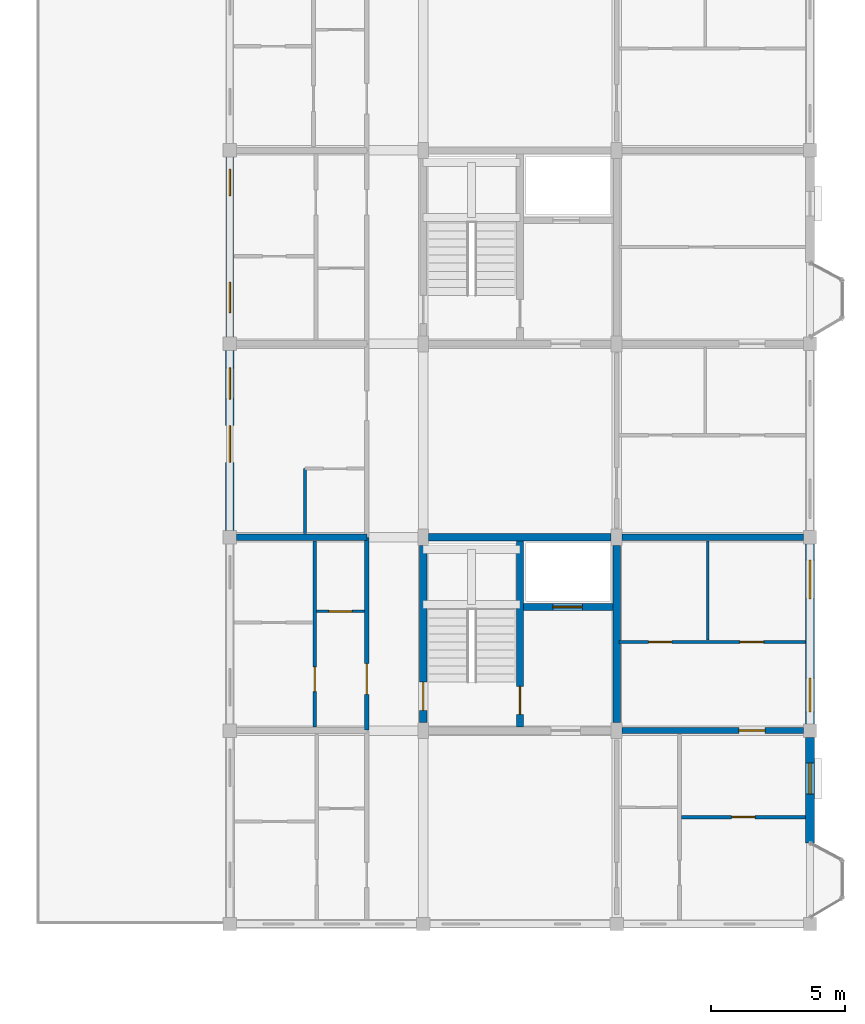
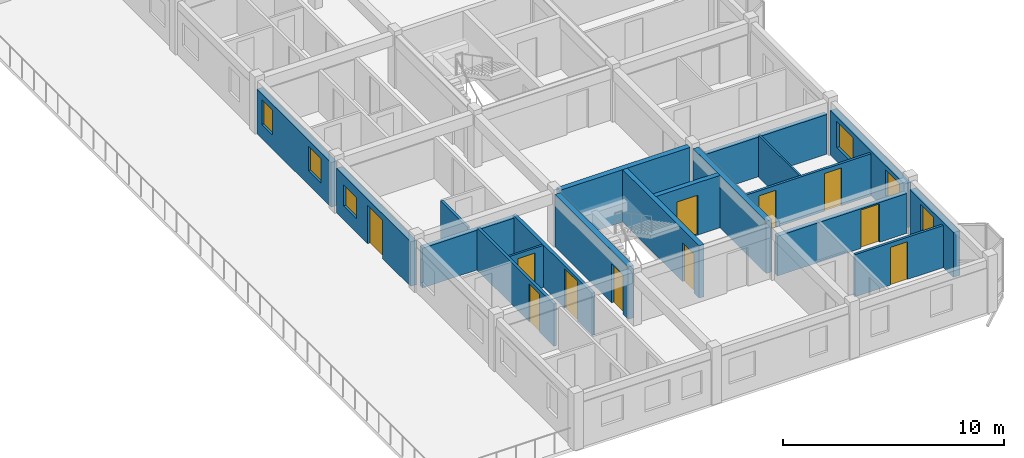
# One storey, part 55 of 70: 19 walls, 11 doors, 6 windows, 17 openings.
"""IFC4 building model written with IfcOpenShell, lengths in metres."""

import ifcopenshell
import ifcopenshell.guid

model = None  # the IFC model being written
_history = None  # IfcOwnerHistory: only IFC2X3 demands one
_inside = {}  # id of a spatial element -> (the spatial element, [elements in it])
_under = {}  # id of a project, library or spatial element -> (it, [spatial elements below it])
_declared = {}  # id of a project -> (the project, [libraries it declares])
_typed = {}  # id of a type object -> (the type object, [elements of that type])
_made_of = {}  # id of a material, layer set ... -> (it, [elements and type objects made of it])


def new_model(schema):
    """Start an empty IFC model of exactly this schema.

    Asked for "IFC4X3", IfcOpenShell would pick the latest addendum, in which some entities
    have other attributes; the version numbers below select the first issue.
    IFC2X3 requires an IfcOwnerHistory on every rooted entity: one is made here for all.
    """
    global model, _history
    if schema == "IFC4X3":
        model = ifcopenshell.file(schema_version=(4, 3, 0, 0))
    else:
        model = ifcopenshell.file(schema=schema)
    _inside.clear()
    _under.clear()
    _declared.clear()
    _typed.clear()
    _made_of.clear()
    _history = None
    if model.schema == "IFC2X3":
        org = make("IfcOrganization", Name="unknown")
        user = make(
            "IfcPersonAndOrganization",
            ThePerson=make("IfcPerson", FamilyName="unknown"),
            TheOrganization=org,
        )
        app = make(
            "IfcApplication",
            ApplicationDeveloper=org,
            Version="unknown",
            ApplicationFullName="unknown",
            ApplicationIdentifier="unknown",
        )
        _history = make(
            "IfcOwnerHistory",
            OwningUser=user,
            OwningApplication=app,
            ChangeAction="ADDED",
            CreationDate=0,
        )
    return model


def make(cls, **values):
    """One entity of the class cls with the attributes given. An attribute that is None is left unset."""
    return model.create_entity(
        cls, **{name: value for name, value in values.items() if value is not None}
    )


def rooted(cls, **values):
    """An entity with a GlobalId (a new one), such as an element, a storey or a relation."""
    return make(cls, GlobalId=ifcopenshell.guid.new(), OwnerHistory=_history, **values)


def si_unit(unit_type, name, prefix=None):
    """IfcSIUnit, for example si_unit("LENGTHUNIT", "METRE", prefix="MILLI")."""
    return make("IfcSIUnit", UnitType=unit_type, Prefix=prefix, Name=name)


def assignment(units):
    """IfcUnitAssignment: the units of a project."""
    return None if units is None else make("IfcUnitAssignment", Units=units)


def point(xyz):
    """IfcCartesianPoint."""
    return None if xyz is None else make("IfcCartesianPoint", Coordinates=xyz)


def direction(xyz):
    """IfcDirection."""
    return None if xyz is None else make("IfcDirection", DirectionRatios=xyz)


def frame(location, z_axis=None, x_axis=None):
    """IfcAxis2Placement3D, a coordinate frame: its origin and axes. An axis left out is left unset."""
    return make(
        "IfcAxis2Placement3D",
        Location=point(location),
        Axis=direction(z_axis),
        RefDirection=direction(x_axis),
    )


def frame_2d(location, x_axis=None):
    """IfcAxis2Placement2D, a coordinate frame in the plane: its origin and x axis."""
    return make(
        "IfcAxis2Placement2D", Location=point(location), RefDirection=direction(x_axis)
    )


def origin():
    """The frame at (0, 0, 0) with its axes left unset."""
    return frame((0.0, 0.0, 0.0))


def place(relative_to, where):
    """IfcLocalPlacement: puts the frame where relative to a parent placement (None: the world)."""
    return make(
        "IfcLocalPlacement", PlacementRelTo=relative_to, RelativePlacement=where
    )


def context(
    kind, dimensions, precision=None, world=None, true_north=None, identifier=None
):
    """IfcGeometricRepresentationContext, for example the 3D "Model" context."""
    return make(
        "IfcGeometricRepresentationContext",
        ContextIdentifier=identifier,
        ContextType=kind,
        CoordinateSpaceDimension=dimensions,
        Precision=precision,
        WorldCoordinateSystem=world,
        TrueNorth=true_north,
    )


def subcontext(parent, identifier, kind, view, scale=None):
    """IfcGeometricRepresentationSubContext, for example "Body" below "Model"."""
    return make(
        "IfcGeometricRepresentationSubContext",
        ContextIdentifier=identifier,
        ContextType=kind,
        ParentContext=parent,
        TargetScale=scale,
        TargetView=view,
    )


def project(units=None, contexts=None):
    """IfcProject with its units and contexts."""
    return rooted(
        "IfcProject",
        Name="project",
        RepresentationContexts=contexts,
        UnitsInContext=assignment(units),
    )


def spatial(cls, under=None, at=None, **own):
    """A site, building, storey or space (cls), placed at a placement, below another one or the project."""
    s = rooted(cls, ObjectPlacement=at, **own)
    if under is not None:
        _under.setdefault(under.id(), (under, []))[1].append(s)
    return s


def profile(cls, at=None, kind="AREA", **sizes):
    """A parametric profile (cls). Its sizes go by their IFC names, for example OverallWidth=200.0."""
    return make(cls, ProfileType=kind, Position=at, **sizes)


def rectangle(**sizes):
    """IfcRectangleProfileDef."""
    return profile("IfcRectangleProfileDef", **sizes)


def extrude(swept, where, along, depth):
    """IfcExtrudedAreaSolid: the profile swept, set in the frame where, extruded along a direction by depth."""
    return make(
        "IfcExtrudedAreaSolid",
        SweptArea=swept,
        Position=where,
        ExtrudedDirection=direction(along),
        Depth=depth,
    )


def shape(context_of_items, identifier, shape_type, items):
    """IfcShapeRepresentation: the items that make up one representation, for example the "Body"."""
    return make(
        "IfcShapeRepresentation",
        ContextOfItems=context_of_items,
        RepresentationIdentifier=identifier,
        RepresentationType=shape_type,
        Items=items,
    )


def material(Name=None, Category=None):
    """IfcMaterial."""
    return make("IfcMaterial", Name=Name, Category=Category)


def layer(
    of_material, thickness, ventilated=None, Name=None, Category=None, Priority=None
):
    """IfcMaterialLayer: one layer of a wall or slab, of a material (None: an air gap)."""
    return make(
        "IfcMaterialLayer",
        Material=of_material,
        LayerThickness=thickness,
        IsVentilated=ventilated,
        Name=Name,
        Category=Category,
        Priority=Priority,
    )


def layer_set(layers, Name=None):
    """IfcMaterialLayerSet."""
    return make("IfcMaterialLayerSet", MaterialLayers=layers, LayerSetName=Name)


def made_of(thing, what):
    """Note that an element or type object is made of a material, layer set ...; save() writes the relation."""
    if what is not None:
        _made_of.setdefault(what.id(), (what, []))[1].append(thing)
    return thing


def type_object(cls, material=None, **own):
    """A type object (cls), such as IfcWallType, which elements share."""
    return made_of(rooted(cls, **own), material)


def element(
    cls,
    number,
    at=None,
    inside=None,
    cuts=None,
    type_object=None,
    material=None,
    context=None,
    identifier="Body",
    shape_type=None,
    held_by="IfcProductDefinitionShape",
    body=None,
    shapes=None,
    **own,
):
    """One element of the class cls, such as IfcWall. Its Tag is "e" and its number.

    at: its placement. inside: the storey or other place that contains it. cuts: it is an
    opening in that element (IfcRelVoidsElement). A single representation is given by context,
    identifier, shape_type and body (its items); several are given by shapes. held_by: the class
    of the entity that holds the representations. save() writes the other relations.
    """
    e = rooted(cls, Tag="e%d" % number, ObjectPlacement=at, **own)
    if body is not None:
        shapes = [shape(context, identifier, shape_type, body)]
    if shapes is not None:
        e.Representation = make(held_by, Representations=shapes)
    if inside is not None:
        _inside.setdefault(inside.id(), (inside, []))[1].append(e)
    if cuts is not None:
        rooted(
            "IfcRelVoidsElement", RelatingBuildingElement=cuts, RelatedOpeningElement=e
        )
    if type_object is not None:
        _typed.setdefault(type_object.id(), (type_object, []))[1].append(e)
    return made_of(e, material)


def fill(opening, filler):
    """IfcRelFillsElement: the door or window that sits in an opening."""
    return rooted(
        "IfcRelFillsElement",
        RelatingOpeningElement=opening,
        RelatedBuildingElement=filler,
    )


def aggregate(whole, parts):
    """IfcRelAggregates: a whole, such as a stair, and the parts it consists of."""
    return rooted("IfcRelAggregates", RelatingObject=whole, RelatedObjects=parts)


def save(model, path):
    """Write the relations noted so far, then the file.

    IfcRelAggregates (storeys below a building ...), IfcRelContainedInSpatialStructure (elements
    in a storey), IfcRelDefinesByType, IfcRelAssociatesMaterial and IfcRelDeclares: one each for
    every whole, place, type object, material and project.
    """
    for whole, parts in _under.values():
        aggregate(whole, parts)
    for where, things in _inside.values():
        rooted(
            "IfcRelContainedInSpatialStructure",
            RelatedElements=things,
            RelatingStructure=where,
        )
    for kind, things in _typed.values():
        rooted("IfcRelDefinesByType", RelatedObjects=things, RelatingType=kind)
    for what, things in _made_of.values():
        rooted("IfcRelAssociatesMaterial", RelatedObjects=things, RelatingMaterial=what)
    for by, libraries in _declared.values():
        rooted("IfcRelDeclares", RelatingContext=by, RelatedDefinitions=libraries)
    model.write(path)


model = new_model("IFC4")

# Units and contexts
model_context = context("Model", 3, precision=1e-05, world=origin(), true_north=direction((0.0, 1.0)))
body_context = subcontext(model_context, "Body", "Model", "MODEL_VIEW")
ifc_project = project(units=[si_unit("LENGTHUNIT", "METRE"), si_unit("AREAUNIT", "SQUARE_METRE"), si_unit("VOLUMEUNIT", "CUBIC_METRE"), si_unit("PLANEANGLEUNIT", "RADIAN"), si_unit("MASSUNIT", "GRAM", prefix="KILO"), si_unit("THERMODYNAMICTEMPERATUREUNIT", "KELVIN"), si_unit("POWERUNIT", "WATT")], contexts=[model_context])

# Site, building, storey
site_placement = place(None, origin())
site = spatial("IfcSite", under=ifc_project, at=site_placement, CompositionType="ELEMENT")
building_placement = place(site_placement, origin())
building = spatial("IfcBuilding", under=site, at=building_placement, Name="Tavuni Mirador Residences", CompositionType="ELEMENT")
storey_placement = place(building_placement, frame((0.0, 0.0, 23.39990234375)))
storey = spatial("IfcBuildingStorey", under=building, at=storey_placement, Name="L07", CompositionType="ELEMENT", Elevation=23.39990234375)

# Wall, opening, door
ifc_material_1 = material(Name="Precast concrete C40/50", Category="concrete")
ifc_layer_1 = layer(ifc_material_1, 0.25, Name="Precast concrete C40/50", Category="concrete")
ifc_layer_set_1 = layer_set([ifc_layer_1], Name="Precast concrete C40/50")
wall_type_1 = type_object("IfcWallType", Name="WT-COR250", PredefinedType="SHEAR", material=ifc_layer_set_1)
wall_1_placement = place(storey_placement, frame((108.0, 93.739990234375, 0.0), z_axis=(0.0, 0.0, 1.0), x_axis=(0.0, 1.0, 0.0)))
wall_1 = element("IfcWall", 1, at=wall_1_placement, inside=storey, type_object=wall_type_1, Name="CWALL-C7-L07-MID", PredefinedType="SHEAR", context=body_context, shape_type="SweptSolid", body=[
    extrude(rectangle(XDim=6.919921875, YDim=0.25, at=frame_2d((3.4599609375, 0.0))), origin(), (0.0, 0.0, 1.0), 2.89013671875),
])
opening_1_placement = place(wall_1_placement, frame((0.4599609375, 0.0, 0.0)))
opening_1 = element("IfcOpeningElement", 2, at=opening_1_placement, cuts=wall_1, Name="Opening D-01", PredefinedType="OPENING", context=body_context, shape_type="SweptSolid", body=[
    extrude(rectangle(XDim=1.050048828125, YDim=2.14990234375, at=frame_2d((0.52490234375, 1.074951171875))), frame((0.0, 0.135009765625, 0.0), z_axis=(0.0, -1.0, 0.0), x_axis=(1.0, 0.0, 0.0)), (0.0, 0.0, 1.0), 0.27001953125),
])
ifc_material_2 = material(Name="Solid core iroko timber", Category="wood")
door_type_1 = type_object("IfcDoorType", Name="DT-ST1050", OperationType="NOTDEFINED", PredefinedType="DOOR", material=ifc_material_2)
door_1_placement = place(opening_1_placement, origin())
door_1 = element("IfcDoor", 3, at=door_1_placement, inside=storey, type_object=door_type_1, Name="DR-2295", OperationType="SINGLE_SWING_LEFT", OverallHeight=2.14990234375, OverallWidth=1.050048828125, PredefinedType="DOOR", context=body_context, shape_type="SweptSolid", body=[
    extrude(rectangle(XDim=1.050048828125, YDim=2.14990234375, at=frame_2d((0.52490234375, 1.074951171875))), frame((0.0, 0.02490234375, 0.0), z_axis=(0.0, -1.0, 0.0), x_axis=(1.0, 0.0, 0.0)), (0.0, 0.0, 1.0), 0.050048828125),
])
fill(opening_1, door_1)

wall_2_placement = place(storey_placement, frame((108.125, 98.199951171875, 0.0), z_axis=(0.0, 0.0, 1.0), x_axis=(1.0, 0.0, 0.0)))
wall_2 = element("IfcWall", 4, at=wall_2_placement, inside=storey, type_object=wall_type_1, Name="CWALL-C7-L07-SHF", PredefinedType="SHEAR", context=body_context, shape_type="SweptSolid", body=[
    extrude(rectangle(XDim=3.3349609375, YDim=0.25, at=frame_2d((1.66748046875, 0.0))), origin(), (0.0, 0.0, 1.0), 2.89013671875),
])
opening_2_placement = place(wall_2_placement, frame((1.10009765625, 0.0, 0.0)))
opening_2 = element("IfcOpeningElement", 5, at=opening_2_placement, cuts=wall_2, Name="Opening LD-01", PredefinedType="OPENING", context=body_context, shape_type="SweptSolid", body=[
    extrude(rectangle(XDim=1.10009765625, YDim=2.199951171875, at=frame_2d((0.550048828125, 1.10009765625))), frame((0.0, 0.135009765625, 0.0), z_axis=(0.0, -1.0, 0.0), x_axis=(1.0, 0.0, 0.0)), (0.0, 0.0, 1.0), 0.27001953125),
])
ifc_material_3 = material(Name="Structural steel S355", Category="steel")
door_type_2 = type_object("IfcDoorType", Name="DT-LD-FF", OperationType="SLIDING_TO_LEFT", PredefinedType="DOOR", material=ifc_material_3)
door_2_placement = place(opening_2_placement, origin())
door_2 = element("IfcDoor", 6, at=door_2_placement, inside=storey, type_object=door_type_2, Name="Lift landing door FL-D1 L07", OperationType="SLIDING_TO_LEFT", OverallHeight=2.199951171875, OverallWidth=1.10009765625, PredefinedType="DOOR", context=body_context, shape_type="SweptSolid", body=[
    extrude(rectangle(XDim=1.10009765625, YDim=2.199951171875, at=frame_2d((0.550048828125, 1.10009765625))), frame((0.0, 0.02490234375, 0.0), z_axis=(0.0, -1.0, 0.0), x_axis=(1.0, 0.0, 0.0)), (0.0, 0.0, 1.0), 0.050048828125),
])
fill(opening_2, door_2)

ifc_layer_2 = layer(ifc_material_1, 0.280029296875, Name="Precast concrete C40/50", Category="concrete")
ifc_layer_set_2 = layer_set([ifc_layer_2], Name="Precast concrete C40/50")
wall_type_2 = type_object("IfcWallType", Name="WT-COR280", PredefinedType="SHEAR", material=ifc_layer_set_2)
wall_3_placement = place(storey_placement, frame((104.39990234375, 93.89990234375, 0.0), z_axis=(0.0, 0.0, 1.0), x_axis=(0.0, 1.0, 0.0)))
wall_3 = element("IfcWall", 7, at=wall_3_placement, inside=storey, type_object=wall_type_2, Name="CWALL-C7-L07-W", PredefinedType="SHEAR", context=body_context, shape_type="SweptSolid", body=[
    extrude(rectangle(XDim=6.60009765625, YDim=0.280029296875, at=frame_2d((3.300048828125, 0.0))), origin(), (0.0, 0.0, 1.0), 2.89013671875),
])
opening_3_placement = place(wall_3_placement, frame((0.449951171875, 0.0, 0.0)))
opening_3 = element("IfcOpeningElement", 8, at=opening_3_placement, cuts=wall_3, Name="Opening D-01", PredefinedType="OPENING", context=body_context, shape_type="SweptSolid", body=[
    extrude(rectangle(XDim=1.050048828125, YDim=2.14990234375, at=frame_2d((0.52490234375, 1.074951171875))), frame((0.0, 0.14990234375, 0.0), z_axis=(0.0, -1.0, 0.0), x_axis=(1.0, 0.0, 0.0)), (0.0, 0.0, 1.0), 0.300048828125),
])
door_3_placement = place(opening_3_placement, origin())
door_3 = element("IfcDoor", 9, at=door_3_placement, inside=storey, type_object=door_type_1, Name="DR-2293", OperationType="SINGLE_SWING_RIGHT", OverallHeight=2.14990234375, OverallWidth=1.050048828125, PredefinedType="DOOR", context=body_context, shape_type="SweptSolid", body=[
    extrude(rectangle(XDim=1.050048828125, YDim=2.14990234375, at=frame_2d((0.52490234375, 1.074951171875))), frame((0.0, 0.02490234375, 0.0), z_axis=(0.0, -1.0, 0.0), x_axis=(1.0, 0.0, 0.0)), (0.0, 0.0, 1.0), 0.050048828125),
])
fill(opening_3, door_3)

# Walls
wall_4_placement = place(storey_placement, frame((104.60009765625, 100.800048828125, 0.0), z_axis=(0.0, 0.0, 1.0), x_axis=(1.0, 0.0, 0.0)))
element("IfcWall", 10, at=wall_4_placement, inside=storey, type_object=wall_type_2, Name="CWALL-C7-L07-N", PredefinedType="SHEAR", context=body_context, shape_type="SweptSolid", body=[
    extrude(rectangle(XDim=6.7998046875, YDim=0.280029296875, at=frame_2d((3.39990234375, 0.0))), origin(), (0.0, 0.0, 1.0), 2.89013671875),
])
wall_5_placement = place(storey_placement, frame((111.60009765625, 93.89990234375, 0.0), z_axis=(0.0, 0.0, 1.0), x_axis=(0.0, 1.0, 0.0)))
element("IfcWall", 11, at=wall_5_placement, inside=storey, type_object=wall_type_2, Name="CWALL-C7-L07-E", PredefinedType="SHEAR", context=body_context, shape_type="SweptSolid", body=[
    extrude(rectangle(XDim=6.60009765625, YDim=0.280029296875, at=frame_2d((3.300048828125, 0.0))), origin(), (0.0, 0.0, 1.0), 2.89013671875),
])

# Wall, opening, door
ifc_layer_3 = layer(ifc_material_1, 0.1650390625, Name="Precast concrete C40/50", Category="concrete")
ifc_layer_set_3 = layer_set([ifc_layer_3], Name="Precast concrete C40/50")
wall_type_3 = type_object("IfcWallType", Name="WT-CORR165", PredefinedType="PARTITIONING", material=ifc_layer_set_3)
wall_6_placement = place(storey_placement, frame((102.300048828125, 93.6201171875, 0.0), z_axis=(0.0, 0.0, 1.0), x_axis=(0.0, 1.0, 0.0)))
wall_6 = element("IfcWall", 12, at=wall_6_placement, inside=storey, type_object=wall_type_3, Name="CORW-BLK-D-L07-0-01", PredefinedType="PARTITIONING", context=body_context, shape_type="SweptSolid", body=[
    extrude(rectangle(XDim=7.159912109375, YDim=0.1650390625, at=frame_2d((3.580078125, 0.0))), origin(), (0.0, 0.0, 1.0), 2.3251953125),
])
opening_4_placement = place(wall_6_placement, frame((1.330078125, 0.0, 0.0)))
opening_4 = element("IfcOpeningElement", 13, at=opening_4_placement, cuts=wall_6, Name="Opening D-20", PredefinedType="OPENING", context=body_context, shape_type="SweptSolid", body=[
    extrude(rectangle(XDim=1.139892578125, YDim=2.179931640625, at=frame_2d((0.56982421875, 1.08984375))), frame((0.0, 0.092529296875, 0.0), z_axis=(0.0, -1.0, 0.0), x_axis=(1.0, 0.0, 0.0)), (0.0, 0.0, 1.0), 0.18505859375),
])
door_type_3 = type_object("IfcDoorType", Name="DT-FD60-1140", OperationType="NOTDEFINED", PredefinedType="DOOR", material=ifc_material_2)
door_4_placement = place(opening_4_placement, origin())
door_4 = element("IfcDoor", 14, at=door_4_placement, inside=storey, type_object=door_type_3, Name="DR-2894", OperationType="SINGLE_SWING_LEFT", OverallHeight=2.179931640625, OverallWidth=1.139892578125, PredefinedType="DOOR", context=body_context, shape_type="SweptSolid", body=[
    extrude(rectangle(XDim=1.139892578125, YDim=2.179931640625, at=frame_2d((0.56982421875, 1.08984375))), frame((0.0, 0.02490234375, 0.0), z_axis=(0.0, -1.0, 0.0), x_axis=(1.0, 0.0, 0.0)), (0.0, 0.0, 1.0), 0.050048828125),
])
fill(opening_4, door_4)

# Wall, opening, window
ifc_layer_4 = layer(ifc_material_1, 0.330078125, Name="Precast concrete C40/50", Category="concrete")
ifc_layer_set_4 = layer_set([ifc_layer_4], Name="Precast concrete C40/50")
wall_type_4 = type_object("IfcWallType", Name="WT-EXT-COR330", PredefinedType="SOLIDWALL", material=ifc_layer_set_4)
wall_7_placement = place(storey_placement, frame((118.800048828125, 89.419921875, 0.0), z_axis=(0.0, 0.0, 1.0), x_axis=(0.0, 1.0, 0.0)))
wall_7 = element("IfcWall", 15, at=wall_7_placement, inside=storey, type_object=wall_type_4, Name="EW-BLK-D-L07-E00", PredefinedType="SOLIDWALL", context=body_context, shape_type="SweptSolid", body=[
    extrude(rectangle(XDim=3.93017578125, YDim=0.330078125, at=frame_2d((1.965087890625, 0.0))), origin(), (0.0, 0.0, 1.0), 2.460205078125),
])
opening_5_placement = place(wall_7_placement, frame((1.81494140625, 0.0, 0.780029296875)))
opening_5 = element("IfcOpeningElement", 16, at=opening_5_placement, cuts=wall_7, Name="Opening WN-27", PredefinedType="OPENING", context=body_context, shape_type="SweptSolid", body=[
    extrude(rectangle(XDim=1.14990234375, YDim=1.43994140625, at=frame_2d((0.574951171875, 0.719970703125))), frame((0.0, 0.175048828125, 0.0), z_axis=(0.0, -1.0, 0.0), x_axis=(1.0, 0.0, 0.0)), (0.0, 0.0, 1.0), 0.35009765625),
])
ifc_material_4 = material(Name="Laminated solar-control glass", Category="glass")
window_type_1 = type_object("IfcWindowType", Name="WNT-27", PartitioningType="SINGLE_PANEL", PredefinedType="WINDOW", material=ifc_material_4)
window_1_placement = place(opening_5_placement, origin())
window_1 = element("IfcWindow", 17, at=window_1_placement, inside=storey, type_object=window_type_1, Name="WIN-1699", OverallHeight=1.43994140625, OverallWidth=1.14990234375, PartitioningType="SINGLE_PANEL", PredefinedType="WINDOW", context=body_context, shape_type="SweptSolid", body=[
    extrude(rectangle(XDim=1.14990234375, YDim=1.43994140625, at=frame_2d((0.574951171875, 0.719970703125))), frame((0.0, 0.030029296875, 0.0), z_axis=(0.0, -1.0, 0.0), x_axis=(1.0, 0.0, 0.0)), (0.0, 0.0, 1.0), 0.06005859375),
])
fill(opening_5, window_1)

# Wall, openings, windows
ifc_material_5 = material(Name="Sgraffito lime-rendered precast concrete C40/50", Category="concrete")
ifc_layer_5 = layer(ifc_material_5, 0.2900390625, Name="Sgraffito lime-rendered precast concrete C40/50", Category="concrete")
ifc_layer_set_5 = layer_set([ifc_layer_5], Name="Sgraffito lime-rendered precast concrete C40/50")
wall_type_5 = type_object("IfcWallType", Name="WT-EXT-PC290", PredefinedType="SOLIDWALL", material=ifc_layer_set_5)
wall_8_placement = place(storey_placement, frame((97.199951171875, 114.949951171875, 0.0), z_axis=(0.0, 0.0, 1.0), x_axis=(0.0, -1.0, 0.0)))
wall_8 = element("IfcWall", 18, at=wall_8_placement, inside=storey, type_object=wall_type_5, Name="EW-BLK-D-L07-W03", PredefinedType="SOLIDWALL", context=body_context, shape_type="SweptSolid", body=[
    extrude(rectangle(XDim=6.699951171875, YDim=0.2900390625, at=frame_2d((3.35009765625, 0.0))), origin(), (0.0, 0.0, 1.0), 2.460205078125),
])
opening_6_placement = place(wall_8_placement, frame((0.449951171875, 0.0, 0.780029296875)))
opening_6 = element("IfcOpeningElement", 19, at=opening_6_placement, cuts=wall_8, Name="Opening WN-18", PredefinedType="OPENING", context=body_context, shape_type="SweptSolid", body=[
    extrude(rectangle(XDim=0.97998046875, YDim=1.360107421875, at=frame_2d((0.489990234375, 0.68017578125))), frame((0.0, 0.155029296875, 0.0), z_axis=(0.0, -1.0, 0.0), x_axis=(1.0, 0.0, 0.0)), (0.0, 0.0, 1.0), 0.31005859375),
])
opening_7_placement = place(wall_8_placement, frame((4.64990234375, 0.0, 0.780029296875)))
opening_7 = element("IfcOpeningElement", 20, at=opening_7_placement, cuts=wall_8, Name="Opening WN-20", PredefinedType="OPENING", context=body_context, shape_type="SweptSolid", body=[
    extrude(rectangle(XDim=1.139892578125, YDim=1.360107421875, at=frame_2d((0.56982421875, 0.68017578125))), frame((0.0, 0.155029296875, 0.0), z_axis=(0.0, -1.0, 0.0), x_axis=(1.0, 0.0, 0.0)), (0.0, 0.0, 1.0), 0.31005859375),
])
window_type_2 = type_object("IfcWindowType", Name="WNT-18", PartitioningType="SINGLE_PANEL", PredefinedType="WINDOW", material=ifc_material_4)
window_2_placement = place(opening_6_placement, origin())
window_2 = element("IfcWindow", 21, at=window_2_placement, inside=storey, type_object=window_type_2, Name="WIN-1720", OverallHeight=1.360107421875, OverallWidth=0.97998046875, PartitioningType="SINGLE_PANEL", PredefinedType="WINDOW", context=body_context, shape_type="SweptSolid", body=[
    extrude(rectangle(XDim=0.97998046875, YDim=1.360107421875, at=frame_2d((0.489990234375, 0.68017578125))), frame((0.0, 0.030029296875, 0.0), z_axis=(0.0, -1.0, 0.0), x_axis=(1.0, 0.0, 0.0)), (0.0, 0.0, 1.0), 0.06005859375),
])
fill(opening_6, window_2)
window_type_3 = type_object("IfcWindowType", Name="WNT-20", PartitioningType="SINGLE_PANEL", PredefinedType="WINDOW", material=ifc_material_4)
window_3_placement = place(opening_7_placement, origin())
window_3 = element("IfcWindow", 22, at=window_3_placement, inside=storey, type_object=window_type_3, Name="WIN-1721", OverallHeight=1.360107421875, OverallWidth=1.139892578125, PartitioningType="SINGLE_PANEL", PredefinedType="WINDOW", context=body_context, shape_type="SweptSolid", body=[
    extrude(rectangle(XDim=1.139892578125, YDim=1.360107421875, at=frame_2d((0.56982421875, 0.68017578125))), frame((0.0, 0.030029296875, 0.0), z_axis=(0.0, -1.0, 0.0), x_axis=(1.0, 0.0, 0.0)), (0.0, 0.0, 1.0), 0.06005859375),
])
fill(opening_7, window_3)

# Wall, openings, door, window
ifc_layer_6 = layer(ifc_material_5, 0.304931640625, Name="Sgraffito lime-rendered precast concrete C40/50", Category="concrete")
ifc_layer_set_6 = layer_set([ifc_layer_6], Name="Sgraffito lime-rendered precast concrete C40/50")
wall_type_6 = type_object("IfcWallType", Name="WT-EXT-PC305", PredefinedType="SOLIDWALL", material=ifc_layer_set_6)
wall_9_placement = place(storey_placement, frame((97.199951171875, 107.75, 0.0), z_axis=(0.0, 0.0, 1.0), x_axis=(0.0, -1.0, 0.0)))
wall_9 = element("IfcWall", 23, at=wall_9_placement, inside=storey, type_object=wall_type_6, Name="EW-BLK-D-L07-W02", PredefinedType="SOLIDWALL", context=body_context, shape_type="SweptSolid", body=[
    extrude(rectangle(XDim=6.699951171875, YDim=0.304931640625, at=frame_2d((3.35009765625, 0.0))), origin(), (0.0, 0.0, 1.0), 2.460205078125),
])
opening_8_placement = place(wall_9_placement, frame((2.800048828125, 0.0, 0.0)))
opening_8 = element("IfcOpeningElement", 24, at=opening_8_placement, cuts=wall_9, Name="Opening TD-04", PredefinedType="OPENING", context=body_context, shape_type="SweptSolid", body=[
    extrude(rectangle(XDim=1.360107421875, YDim=2.1201171875, at=frame_2d((0.68017578125, 1.06005859375))), frame((0.0, 0.16259765625, 0.0), z_axis=(0.0, -1.0, 0.0), x_axis=(1.0, 0.0, 0.0)), (0.0, 0.0, 1.0), 0.324951171875),
])
opening_9_placement = place(wall_9_placement, frame((0.64990234375, 0.0, 0.780029296875)))
opening_9 = element("IfcOpeningElement", 25, at=opening_9_placement, cuts=wall_9, Name="Opening WN-05", PredefinedType="OPENING", context=body_context, shape_type="SweptSolid", body=[
    extrude(rectangle(XDim=1.159912109375, YDim=1.14990234375, at=frame_2d((0.580078125, 0.574951171875))), frame((0.0, 0.16259765625, 0.0), z_axis=(0.0, -1.0, 0.0), x_axis=(1.0, 0.0, 0.0)), (0.0, 0.0, 1.0), 0.324951171875),
])
ifc_material_6 = material(Name="Anodised aluminium", Category="aluminium")
door_type_4 = type_object("IfcDoorType", Name="DT-TER1360", OperationType="NOTDEFINED", PredefinedType="DOOR", material=ifc_material_6)
door_5_placement = place(opening_8_placement, frame((1.360107421875, 0.0, 0.0), z_axis=(0.0, 0.0, 1.0), x_axis=(-1.0, 0.0, 0.0)))
door_5 = element("IfcDoor", 26, at=door_5_placement, inside=storey, type_object=door_type_4, Name="DR-0018", OperationType="SINGLE_SWING_LEFT", OverallHeight=2.1201171875, OverallWidth=1.360107421875, PredefinedType="DOOR", context=body_context, shape_type="SweptSolid", body=[
    extrude(rectangle(XDim=1.360107421875, YDim=2.1201171875, at=frame_2d((0.68017578125, 1.06005859375))), frame((0.0, 0.02490234375, 0.0), z_axis=(0.0, -1.0, 0.0), x_axis=(1.0, 0.0, 0.0)), (0.0, 0.0, 1.0), 0.050048828125),
])
fill(opening_8, door_5)
window_type_4 = type_object("IfcWindowType", Name="WNT-05", PartitioningType="SINGLE_PANEL", PredefinedType="WINDOW", material=ifc_material_4)
window_4_placement = place(opening_9_placement, origin())
window_4 = element("IfcWindow", 27, at=window_4_placement, inside=storey, type_object=window_type_4, Name="WIN-1722", OverallHeight=1.14990234375, OverallWidth=1.159912109375, PartitioningType="SINGLE_PANEL", PredefinedType="WINDOW", context=body_context, shape_type="SweptSolid", body=[
    extrude(rectangle(XDim=1.159912109375, YDim=1.14990234375, at=frame_2d((0.580078125, 0.574951171875))), frame((0.0, 0.030029296875, 0.0), z_axis=(0.0, -1.0, 0.0), x_axis=(1.0, 0.0, 0.0)), (0.0, 0.0, 1.0), 0.06005859375),
])
fill(opening_9, window_4)

# Wall, openings, windows
ifc_layer_7 = layer(ifc_material_5, 0.344970703125, Name="Sgraffito lime-rendered precast concrete C40/50", Category="concrete")
ifc_layer_set_7 = layer_set([ifc_layer_7], Name="Sgraffito lime-rendered precast concrete C40/50")
wall_type_7 = type_object("IfcWallType", Name="WT-EXT-PTY345", PredefinedType="SOLIDWALL", material=ifc_layer_set_7)
wall_10_placement = place(storey_placement, frame((118.800048828125, 93.85009765625, 0.0), z_axis=(0.0, 0.0, 1.0), x_axis=(0.0, 1.0, 0.0)))
wall_10 = element("IfcWall", 28, at=wall_10_placement, inside=storey, type_object=wall_type_7, Name="EW-BLK-D-L07-E01", PredefinedType="SOLIDWALL", context=body_context, shape_type="SweptSolid", body=[
    extrude(rectangle(XDim=6.699951171875, YDim=0.344970703125, at=frame_2d((3.35009765625, 0.0))), origin(), (0.0, 0.0, 1.0), 2.460205078125),
])
opening_10_placement = place(wall_10_placement, frame((0.449951171875, 0.0, 0.780029296875)))
opening_10 = element("IfcOpeningElement", 29, at=opening_10_placement, cuts=wall_10, Name="Opening WN-28", PredefinedType="OPENING", context=body_context, shape_type="SweptSolid", body=[
    extrude(rectangle(XDim=1.25, YDim=1.43994140625, at=frame_2d((0.625, 0.719970703125))), frame((0.0, 0.1826171875, 0.0), z_axis=(0.0, -1.0, 0.0), x_axis=(1.0, 0.0, 0.0)), (0.0, 0.0, 1.0), 0.364990234375),
])
opening_11_placement = place(wall_10_placement, frame((4.64990234375, 0.0, 0.780029296875)))
opening_11 = element("IfcOpeningElement", 30, at=opening_11_placement, cuts=wall_10, Name="Opening WN-30", PredefinedType="OPENING", context=body_context, shape_type="SweptSolid", body=[
    extrude(rectangle(XDim=1.449951171875, YDim=1.43994140625, at=frame_2d((0.72509765625, 0.719970703125))), frame((0.0, 0.1826171875, 0.0), z_axis=(0.0, -1.0, 0.0), x_axis=(1.0, 0.0, 0.0)), (0.0, 0.0, 1.0), 0.364990234375),
])
window_type_5 = type_object("IfcWindowType", Name="WNT-28", PartitioningType="SINGLE_PANEL", PredefinedType="WINDOW", material=ifc_material_4)
window_5_placement = place(opening_10_placement, origin())
window_5 = element("IfcWindow", 31, at=window_5_placement, inside=storey, type_object=window_type_5, Name="WIN-1700", OverallHeight=1.43994140625, OverallWidth=1.25, PartitioningType="SINGLE_PANEL", PredefinedType="WINDOW", context=body_context, shape_type="SweptSolid", body=[
    extrude(rectangle(XDim=1.25, YDim=1.43994140625, at=frame_2d((0.625, 0.719970703125))), frame((0.0, 0.030029296875, 0.0), z_axis=(0.0, -1.0, 0.0), x_axis=(1.0, 0.0, 0.0)), (0.0, 0.0, 1.0), 0.06005859375),
])
fill(opening_10, window_5)
window_type_6 = type_object("IfcWindowType", Name="WNT-30", PartitioningType="SINGLE_PANEL", PredefinedType="WINDOW", material=ifc_material_4)
window_6_placement = place(opening_11_placement, origin())
window_6 = element("IfcWindow", 32, at=window_6_placement, inside=storey, type_object=window_type_6, Name="WIN-1701", OverallHeight=1.43994140625, OverallWidth=1.449951171875, PartitioningType="SINGLE_PANEL", PredefinedType="WINDOW", context=body_context, shape_type="SweptSolid", body=[
    extrude(rectangle(XDim=1.449951171875, YDim=1.43994140625, at=frame_2d((0.72509765625, 0.719970703125))), frame((0.0, 0.030029296875, 0.0), z_axis=(0.0, -1.0, 0.0), x_axis=(1.0, 0.0, 0.0)), (0.0, 0.0, 1.0), 0.06005859375),
])
fill(opening_11, window_6)

# Wall
ifc_material_7 = material(Name="Acoustic gypsum and concrete block partition", Category="concrete")
ifc_layer_8 = layer(ifc_material_7, 0.094970703125, Name="Acoustic gypsum and concrete block partition", Category="concrete")
ifc_layer_set_8 = layer_set([ifc_layer_8], Name="Acoustic gypsum and concrete block partition")
wall_type_8 = type_object("IfcWallType", Name="WT-PART095", PredefinedType="PARTITIONING", material=ifc_layer_set_8)
wall_11_placement = place(storey_placement, frame((115.0, 96.969970703125, 0.0), z_axis=(0.0, 0.0, 1.0), x_axis=(0.0, 1.0, 0.0)))
element("IfcWall", 33, at=wall_11_placement, inside=storey, type_object=wall_type_8, Name="PW-BLK-D-L07-PF01-V", PredefinedType="PARTITIONING", context=body_context, shape_type="SweptSolid", body=[
    extrude(rectangle(XDim=3.68994140625, YDim=0.094970703125, at=frame_2d((1.844970703125, 0.0))), origin(), (0.0, 0.0, 1.0), 2.3251953125),
])

# Wall, opening, door
ifc_layer_9 = layer(ifc_material_7, 0.10498046875, Name="Acoustic gypsum and concrete block partition", Category="concrete")
ifc_layer_set_9 = layer_set([ifc_layer_9], Name="Acoustic gypsum and concrete block partition")
wall_type_9 = type_object("IfcWallType", Name="WT-PART105", PredefinedType="PARTITIONING", material=ifc_layer_set_9)
wall_12_placement = place(storey_placement, frame((100.429931640625, 98.0400390625, 0.0), z_axis=(0.0, 0.0, 1.0), x_axis=(1.0, 0.0, 0.0)))
wall_12 = element("IfcWall", 34, at=wall_12_placement, inside=storey, type_object=wall_type_9, Name="PW-BLK-D-L07-W01-IN1", PredefinedType="PARTITIONING", context=body_context, shape_type="SweptSolid", body=[
    extrude(rectangle(XDim=1.780029296875, YDim=0.10498046875, at=frame_2d((0.89013671875, 0.0))), origin(), (0.0, 0.0, 1.0), 2.3251953125),
])
opening_12_placement = place(wall_12_placement, frame((0.455078125, 0.0, 0.0)))
opening_12 = element("IfcOpeningElement", 35, at=opening_12_placement, cuts=wall_12, Name="Opening D-10", PredefinedType="OPENING", context=body_context, shape_type="SweptSolid", body=[
    extrude(rectangle(XDim=0.8701171875, YDim=2.050048828125, at=frame_2d((0.43505859375, 1.02490234375))), frame((0.0, 0.0625, 0.0), z_axis=(0.0, -1.0, 0.0), x_axis=(1.0, 0.0, 0.0)), (0.0, 0.0, 1.0), 0.125),
])
door_type_5 = type_object("IfcDoorType", Name="DT-WC870", OperationType="NOTDEFINED", PredefinedType="DOOR", material=ifc_material_2)
door_6_placement = place(opening_12_placement, origin())
door_6 = element("IfcDoor", 36, at=door_6_placement, inside=storey, type_object=door_type_5, Name="DR-4557", OperationType="SINGLE_SWING_LEFT", OverallHeight=2.050048828125, OverallWidth=0.8701171875, PredefinedType="DOOR", context=body_context, shape_type="SweptSolid", body=[
    extrude(rectangle(XDim=0.8701171875, YDim=2.050048828125, at=frame_2d((0.43505859375, 1.02490234375))), frame((0.0, 0.02490234375, 0.0), z_axis=(0.0, -1.0, 0.0), x_axis=(1.0, 0.0, 0.0)), (0.0, 0.0, 1.0), 0.050048828125),
])
fill(opening_12, door_6)

ifc_layer_10 = layer(ifc_material_7, 0.125, Name="Acoustic gypsum and concrete block partition", Category="concrete")
ifc_layer_set_10 = layer_set([ifc_layer_10], Name="Acoustic gypsum and concrete block partition")
wall_type_10 = type_object("IfcWallType", Name="WT-PART125", PredefinedType="PARTITIONING", material=ifc_layer_set_10)
wall_13_placement = place(storey_placement, frame((114.010009765625, 90.3798828125, 0.0), z_axis=(0.0, 0.0, 1.0), x_axis=(1.0, 0.0, 0.0)))
wall_13 = element("IfcWall", 37, at=wall_13_placement, inside=storey, type_object=wall_type_10, Name="PW-BLK-D-L07-E00-OUT", PredefinedType="PARTITIONING", context=body_context, shape_type="SweptSolid", body=[
    extrude(rectangle(XDim=4.614990234375, YDim=0.125, at=frame_2d((2.3076171875, 0.0))), origin(), (0.0, 0.0, 1.0), 2.3251953125),
])
opening_13_placement = place(wall_13_placement, frame((1.867431640625, 0.0, 0.0)))
opening_13 = element("IfcOpeningElement", 38, at=opening_13_placement, cuts=wall_13, Name="Opening D-08", PredefinedType="OPENING", context=body_context, shape_type="SweptSolid", body=[
    extrude(rectangle(XDim=0.8798828125, YDim=2.080078125, at=frame_2d((0.43994140625, 1.0400390625))), frame((0.0, 0.072509765625, 0.0), z_axis=(0.0, -1.0, 0.0), x_axis=(1.0, 0.0, 0.0)), (0.0, 0.0, 1.0), 0.14501953125),
])
door_type_6 = type_object("IfcDoorType", Name="DT-BED880", OperationType="NOTDEFINED", PredefinedType="DOOR", material=ifc_material_2)
door_7_placement = place(opening_13_placement, origin())
door_7 = element("IfcDoor", 39, at=door_7_placement, inside=storey, type_object=door_type_6, Name="DR-4553", OperationType="SINGLE_SWING_RIGHT", OverallHeight=2.080078125, OverallWidth=0.8798828125, PredefinedType="DOOR", context=body_context, shape_type="SweptSolid", body=[
    extrude(rectangle(XDim=0.8798828125, YDim=2.080078125, at=frame_2d((0.43994140625, 1.0400390625))), frame((0.0, 0.02490234375, 0.0), z_axis=(0.0, -1.0, 0.0), x_axis=(1.0, 0.0, 0.0)), (0.0, 0.0, 1.0), 0.050048828125),
])
fill(opening_13, door_7)

# Wall, openings, doors
wall_14_placement = place(storey_placement, frame((111.68994140625, 96.89990234375, 0.0), z_axis=(0.0, 0.0, 1.0), x_axis=(1.0, 0.0, 0.0)))
wall_14 = element("IfcWall", 40, at=wall_14_placement, inside=storey, type_object=wall_type_10, Name="PW-BLK-D-L07-PF01-H", PredefinedType="PARTITIONING", context=body_context, shape_type="SweptSolid", body=[
    extrude(rectangle(XDim=6.93505859375, YDim=0.125, at=frame_2d((3.467529296875, 0.0))), origin(), (0.0, 0.0, 1.0), 2.3251953125),
])
opening_14_placement = place(wall_14_placement, frame((1.10009765625, 0.0, 0.0)))
opening_14 = element("IfcOpeningElement", 41, at=opening_14_placement, cuts=wall_14, Name="Opening D-10", PredefinedType="OPENING", context=body_context, shape_type="SweptSolid", body=[
    extrude(rectangle(XDim=0.8701171875, YDim=2.050048828125, at=frame_2d((0.43505859375, 1.02490234375))), frame((0.0, 0.072509765625, 0.0), z_axis=(0.0, -1.0, 0.0), x_axis=(1.0, 0.0, 0.0)), (0.0, 0.0, 1.0), 0.14501953125),
])
opening_15_placement = place(wall_14_placement, frame((4.5, 0.0, 0.0)))
opening_15 = element("IfcOpeningElement", 42, at=opening_15_placement, cuts=wall_14, Name="Opening D-08", PredefinedType="OPENING", context=body_context, shape_type="SweptSolid", body=[
    extrude(rectangle(XDim=0.8798828125, YDim=2.080078125, at=frame_2d((0.43994140625, 1.0400390625))), frame((0.0, 0.072509765625, 0.0), z_axis=(0.0, -1.0, 0.0), x_axis=(1.0, 0.0, 0.0)), (0.0, 0.0, 1.0), 0.14501953125),
])
door_8_placement = place(opening_15_placement, origin())
door_8 = element("IfcDoor", 43, at=door_8_placement, inside=storey, type_object=door_type_6, Name="DR-4560", OperationType="SINGLE_SWING_RIGHT", OverallHeight=2.080078125, OverallWidth=0.8798828125, PredefinedType="DOOR", context=body_context, shape_type="SweptSolid", body=[
    extrude(rectangle(XDim=0.8798828125, YDim=2.080078125, at=frame_2d((0.43994140625, 1.0400390625))), frame((0.0, 0.02490234375, 0.0), z_axis=(0.0, -1.0, 0.0), x_axis=(1.0, 0.0, 0.0)), (0.0, 0.0, 1.0), 0.050048828125),
])
fill(opening_15, door_8)
door_9_placement = place(opening_14_placement, origin())
door_9 = element("IfcDoor", 44, at=door_9_placement, inside=storey, type_object=door_type_5, Name="DR-4559", OperationType="SINGLE_SWING_LEFT", OverallHeight=2.050048828125, OverallWidth=0.8701171875, PredefinedType="DOOR", context=body_context, shape_type="SweptSolid", body=[
    extrude(rectangle(XDim=0.8701171875, YDim=2.050048828125, at=frame_2d((0.43505859375, 1.02490234375))), frame((0.0, 0.02490234375, 0.0), z_axis=(0.0, -1.0, 0.0), x_axis=(1.0, 0.0, 0.0)), (0.0, 0.0, 1.0), 0.050048828125),
])
fill(opening_14, door_9)

# Wall
wall_15_placement = place(storey_placement, frame((100.0, 100.93994140625, 0.0), z_axis=(0.0, 0.0, 1.0), x_axis=(0.0, 1.0, 0.0)))
element("IfcWall", 45, at=wall_15_placement, inside=storey, type_object=wall_type_10, Name="PW-BLK-D-L07-W02-1", PredefinedType="PARTITIONING", context=body_context, shape_type="SweptSolid", body=[
    extrude(rectangle(XDim=2.41015625, YDim=0.125, at=frame_2d((1.205078125, 0.0))), origin(), (0.0, 0.0, 1.0), 2.3251953125),
])

# Wall, opening, door
ifc_layer_11 = layer(ifc_material_7, 0.139892578125, Name="Acoustic gypsum and concrete block partition", Category="concrete")
ifc_layer_set_11 = layer_set([ifc_layer_11], Name="Acoustic gypsum and concrete block partition")
wall_type_11 = type_object("IfcWallType", Name="WT-PART140", PredefinedType="PARTITIONING", material=ifc_layer_set_11)
wall_16_placement = place(storey_placement, frame((100.360107421875, 93.739990234375, 0.0), z_axis=(0.0, 0.0, 1.0), x_axis=(0.0, 1.0, 0.0)))
wall_16 = element("IfcWall", 46, at=wall_16_placement, inside=storey, type_object=wall_type_11, Name="PW-BLK-D-L07-W01-MID", PredefinedType="PARTITIONING", context=body_context, shape_type="SweptSolid", body=[
    extrude(rectangle(XDim=6.919921875, YDim=0.139892578125, at=frame_2d((3.4599609375, 0.0))), origin(), (0.0, 0.0, 1.0), 2.3251953125),
])
opening_16_placement = place(wall_16_placement, frame((1.31005859375, 0.0, 0.0)))
opening_16 = element("IfcOpeningElement", 47, at=opening_16_placement, cuts=wall_16, Name="Opening D-06", PredefinedType="OPENING", context=body_context, shape_type="SweptSolid", body=[
    extrude(rectangle(XDim=0.919921875, YDim=2.10009765625, at=frame_2d((0.4599609375, 1.050048828125))), frame((0.0, 0.080078125, 0.0), z_axis=(0.0, -1.0, 0.0), x_axis=(1.0, 0.0, 0.0)), (0.0, 0.0, 1.0), 0.159912109375),
])
door_type_7 = type_object("IfcDoorType", Name="DT-INT920", OperationType="NOTDEFINED", PredefinedType="DOOR", material=ifc_material_2)
door_10_placement = place(opening_16_placement, origin())
door_10 = element("IfcDoor", 48, at=door_10_placement, inside=storey, type_object=door_type_7, Name="DR-4558", OperationType="SINGLE_SWING_RIGHT", OverallHeight=2.10009765625, OverallWidth=0.919921875, PredefinedType="DOOR", context=body_context, shape_type="SweptSolid", body=[
    extrude(rectangle(XDim=0.919921875, YDim=2.10009765625, at=frame_2d((0.4599609375, 1.050048828125))), frame((0.0, 0.02490234375, 0.0), z_axis=(0.0, -1.0, 0.0), x_axis=(1.0, 0.0, 0.0)), (0.0, 0.0, 1.0), 0.050048828125),
])
fill(opening_16, door_10)

ifc_layer_12 = layer(ifc_material_1, 0.235107421875, Name="Precast concrete C40/50", Category="concrete")
ifc_layer_set_12 = layer_set([ifc_layer_12], Name="Precast concrete C40/50")
wall_type_12 = type_object("IfcWallType", Name="WT-XW235", PredefinedType="SOLIDWALL", material=ifc_layer_set_12)
wall_17_placement = place(storey_placement, frame((111.800048828125, 93.60009765625, 0.0), z_axis=(0.0, 0.0, 1.0), x_axis=(1.0, 0.0, 0.0)))
wall_17 = element("IfcWall", 49, at=wall_17_placement, inside=storey, type_object=wall_type_12, Name="XW-BLK-D-L07-E-01", PredefinedType="SOLIDWALL", context=body_context, shape_type="SweptSolid", body=[
    extrude(rectangle(XDim=6.75, YDim=0.235107421875, at=frame_2d((3.375, 0.0))), origin(), (0.0, 0.0, 1.0), 2.190185546875),
])
opening_17_placement = place(wall_17_placement, frame((4.35009765625, 0.0, 0.0)))
opening_17 = element("IfcOpeningElement", 50, at=opening_17_placement, cuts=wall_17, Name="Opening D-04", PredefinedType="OPENING", context=body_context, shape_type="SweptSolid", body=[
    extrude(rectangle(XDim=0.97998046875, YDim=2.1201171875, at=frame_2d((0.489990234375, 1.06005859375))), frame((0.0, 0.12744140625, 0.0), z_axis=(0.0, -1.0, 0.0), x_axis=(1.0, 0.0, 0.0)), (0.0, 0.0, 1.0), 0.255126953125),
])
door_type_8 = type_object("IfcDoorType", Name="DT-FD60-980", OperationType="NOTDEFINED", PredefinedType="DOOR", material=ifc_material_2)
door_11_placement = place(opening_17_placement, origin())
door_11 = element("IfcDoor", 51, at=door_11_placement, inside=storey, type_object=door_type_8, Name="DR-4772", OperationType="SINGLE_SWING_LEFT", OverallHeight=2.1201171875, OverallWidth=0.97998046875, PredefinedType="DOOR", context=body_context, shape_type="SweptSolid", body=[
    extrude(rectangle(XDim=0.97998046875, YDim=2.1201171875, at=frame_2d((0.489990234375, 1.06005859375))), frame((0.0, 0.02490234375, 0.0), z_axis=(0.0, -1.0, 0.0), x_axis=(1.0, 0.0, 0.0)), (0.0, 0.0, 1.0), 0.050048828125),
])
fill(opening_17, door_11)

# Walls
wall_18_placement = place(storey_placement, frame((97.449951171875, 100.800048828125, 0.0), z_axis=(0.0, 0.0, 1.0), x_axis=(1.0, 0.0, 0.0)))
element("IfcWall", 52, at=wall_18_placement, inside=storey, type_object=wall_type_12, Name="XW-BLK-D-L07-W-02", PredefinedType="SOLIDWALL", context=body_context, shape_type="SweptSolid", body=[
    extrude(rectangle(XDim=4.85009765625, YDim=0.235107421875, at=frame_2d((2.425048828125, 0.0))), origin(), (0.0, 0.0, 1.0), 2.190185546875),
])
wall_19_placement = place(storey_placement, frame((111.800048828125, 100.800048828125, 0.0), z_axis=(0.0, 0.0, 1.0), x_axis=(1.0, 0.0, 0.0)))
element("IfcWall", 53, at=wall_19_placement, inside=storey, type_object=wall_type_12, Name="XW-BLK-D-L07-E-02", PredefinedType="SOLIDWALL", context=body_context, shape_type="SweptSolid", body=[
    extrude(rectangle(XDim=6.75, YDim=0.235107421875, at=frame_2d((3.375, 0.0))), origin(), (0.0, 0.0, 1.0), 2.190185546875),
])

save(model, "model.ifc")
